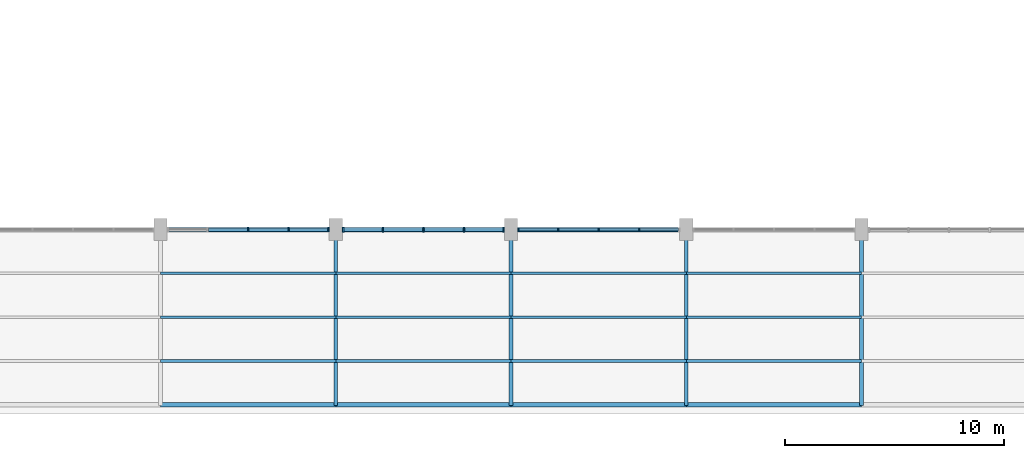
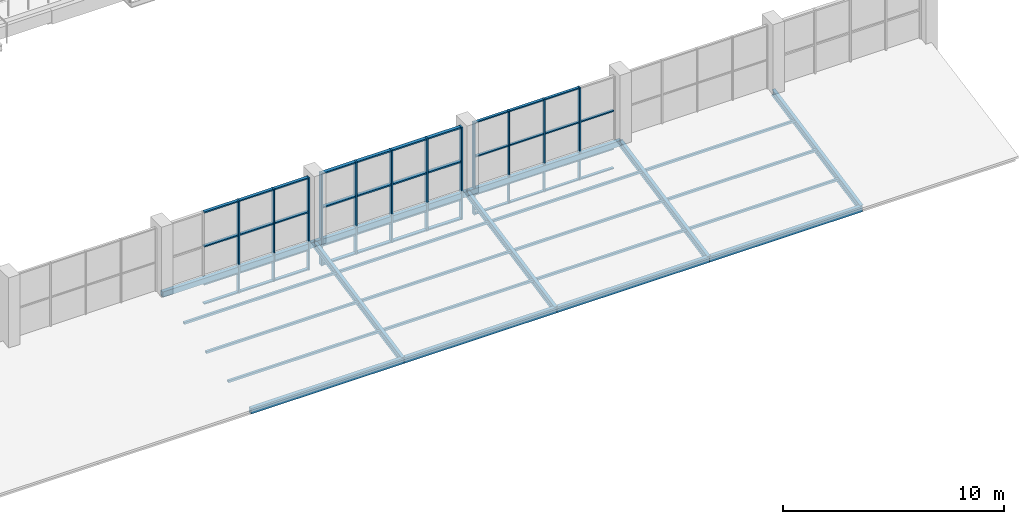
# One storey, part 50 of 122: 67 members, 11 beams, 3 elements without a shape of their own.
"""IFC4 building model written with IfcOpenShell, lengths in metres."""

from ifc_helpers import new_model, si_unit, direction, frame, origin, origin_2d, place, context, subcontext, project, spatial, rectangle, hollow_rectangle, i_section, extrude, material, material_profile, profile_set, type_object, element, aggregate, save


model = new_model("IFC4")

# Units and contexts
model_context = context("Model", 3, precision=1e-05, world=origin(), true_north=direction((0.0, 1.0)))
body_context = subcontext(model_context, "Body", "Model", "MODEL_VIEW")
ifc_project = project(units=[si_unit("LENGTHUNIT", "METRE"), si_unit("AREAUNIT", "SQUARE_METRE"), si_unit("VOLUMEUNIT", "CUBIC_METRE"), si_unit("PLANEANGLEUNIT", "RADIAN"), si_unit("MASSUNIT", "GRAM", prefix="KILO")], contexts=[model_context])

# Site, building, storey
site_placement = place(None, origin())
site = spatial("IfcSite", under=ifc_project, at=site_placement, CompositionType="ELEMENT")
building_placement = place(site_placement, origin())
building = spatial("IfcBuilding", under=site, at=building_placement, Name="Tenunan Teduh Sports Hall", CompositionType="ELEMENT")
storey_placement = place(building_placement, frame((0.0, 0.0, 5.39990234375)))
storey = spatial("IfcBuildingStorey", under=building, at=storey_placement, Name="L01", CompositionType="ELEMENT", Elevation=5.39990234375)

# Curtain wall, members
ifc_material_1 = material(Name="Anodised aluminium", Category="aluminium")
curtain_wall_type = type_object("IfcCurtainWallType", Name="CW-UNIT-1", PredefinedType="NOTDEFINED", material=ifc_material_1)
curtain_wall_1_placement = place(storey_placement, origin())
curtain_wall_1 = element("IfcCurtainWall", 1, at=curtain_wall_1_placement, inside=storey, type_object=curtain_wall_type, Name="CW-CWM-175-L01-010", PredefinedType="NOTDEFINED")
ifc_material_2 = material(Name="Anodised aluminium", Category="aluminium")
ifc_material_profile_1 = material_profile(ifc_material_2, rectangle(XDim=0.06494140625, YDim=0.175048828125, at=origin_2d()), Name="CWM 65x175")
ifc_profile_set_1 = profile_set([ifc_material_profile_1], Name="Anodised aluminium")
member_type_1 = type_object("IfcMemberType", Name="CWM-175", PredefinedType="MULLION", material=ifc_profile_set_1)
member_1_placement = place(storey_placement, frame((146.33251953125, 14.0, 0.0), z_axis=(0.0, 0.0, 1.0), x_axis=(1.0, 0.0, 0.0)))
member_1 = element("IfcMember", 2, at=member_1_placement, type_object=member_type_1, Name="CW-01 mullion 1", PredefinedType="MULLION", context=body_context, shape_type="SweptSolid", body=[
    extrude(rectangle(XDim=0.06494140625, YDim=0.175048828125, at=origin_2d()), origin(), (0.0, 0.0, 1.0), 5.1201171875),
])
member_2_placement = place(storey_placement, frame((148.14990234375, 14.0, 0.0), z_axis=(0.0, 0.0, 1.0), x_axis=(1.0, 0.0, 0.0)))
member_2 = element("IfcMember", 3, at=member_2_placement, type_object=member_type_1, Name="CW-01 mullion 2", PredefinedType="MULLION", context=body_context, shape_type="SweptSolid", body=[
    extrude(rectangle(XDim=0.06494140625, YDim=0.175048828125, at=origin_2d()), origin(), (0.0, 0.0, 1.0), 5.1201171875),
])
member_3_placement = place(storey_placement, frame((150.0, 14.0, 0.0), z_axis=(0.0, 0.0, 1.0), x_axis=(1.0, 0.0, 0.0)))
member_3 = element("IfcMember", 4, at=member_3_placement, type_object=member_type_1, Name="CW-01 mullion 3", PredefinedType="MULLION", context=body_context, shape_type="SweptSolid", body=[
    extrude(rectangle(XDim=0.06494140625, YDim=0.175048828125, at=origin_2d()), origin(), (0.0, 0.0, 1.0), 5.1201171875),
])
member_4_placement = place(storey_placement, frame((151.85009765625, 14.0, 0.0), z_axis=(0.0, 0.0, 1.0), x_axis=(1.0, 0.0, 0.0)))
member_4 = element("IfcMember", 5, at=member_4_placement, type_object=member_type_1, Name="CW-01 mullion 4", PredefinedType="MULLION", context=body_context, shape_type="SweptSolid", body=[
    extrude(rectangle(XDim=0.06494140625, YDim=0.175048828125, at=origin_2d()), origin(), (0.0, 0.0, 1.0), 5.1201171875),
])

curtain_wall_2_placement = place(storey_placement, origin())
curtain_wall_2 = element("IfcCurtainWall", 6, at=curtain_wall_2_placement, inside=storey, type_object=curtain_wall_type, Name="CW-CWM-200-L01-008", PredefinedType="NOTDEFINED")
ifc_material_3 = material(Name="Anodised aluminium", Category="aluminium")
ifc_material_profile_2 = material_profile(ifc_material_3, rectangle(XDim=0.070068359375, YDim=0.199951171875, at=origin_2d()), Name="CWM 70x200")
ifc_profile_set_2 = profile_set([ifc_material_profile_2], Name="Anodised aluminium")
member_type_2 = type_object("IfcMemberType", Name="CWM-200", PredefinedType="MULLION", material=ifc_profile_set_2)
member_5_placement = place(storey_placement, frame((134.0, 14.0, 0.0), z_axis=(0.0, 0.0, 1.0), x_axis=(1.0, 0.0, 0.0)))
member_5 = element("IfcMember", 7, at=member_5_placement, type_object=member_type_2, Name="CW-01 mullion 3", PredefinedType="MULLION", context=body_context, shape_type="SweptSolid", body=[
    extrude(rectangle(XDim=0.070068359375, YDim=0.199951171875, at=origin_2d()), origin(), (0.0, 0.0, 1.0), 5.1201171875),
])
member_6_placement = place(storey_placement, frame((135.85009765625, 14.0, 0.0), z_axis=(0.0, 0.0, 1.0), x_axis=(1.0, 0.0, 0.0)))
member_6 = element("IfcMember", 8, at=member_6_placement, type_object=member_type_2, Name="CW-01 mullion 4", PredefinedType="MULLION", context=body_context, shape_type="SweptSolid", body=[
    extrude(rectangle(XDim=0.070068359375, YDim=0.199951171875, at=origin_2d()), origin(), (0.0, 0.0, 1.0), 5.1201171875),
])
member_7_placement = place(storey_placement, frame((137.6650390625, 14.0, 0.0), z_axis=(0.0, 0.0, 1.0), x_axis=(1.0, 0.0, 0.0)))
member_7 = element("IfcMember", 9, at=member_7_placement, type_object=member_type_2, Name="CW-01 mullion 5", PredefinedType="MULLION", context=body_context, shape_type="SweptSolid", body=[
    extrude(rectangle(XDim=0.070068359375, YDim=0.199951171875, at=origin_2d()), origin(), (0.0, 0.0, 1.0), 5.1201171875),
])

curtain_wall_3_placement = place(storey_placement, origin())
curtain_wall_3 = element("IfcCurtainWall", 10, at=curtain_wall_3_placement, inside=storey, type_object=curtain_wall_type, Name="CW-CWM-220-L01-009", PredefinedType="NOTDEFINED")
ifc_material_4 = material(Name="Anodised aluminium", Category="aluminium")
ifc_material_profile_3 = material_profile(ifc_material_4, rectangle(XDim=0.074951171875, YDim=0.219970703125, at=origin_2d()), Name="CWM 75x220")
ifc_profile_set_3 = profile_set([ifc_material_profile_3], Name="Anodised aluminium")
member_type_3 = type_object("IfcMemberType", Name="CWM-220", PredefinedType="MULLION", material=ifc_profile_set_3)
member_8_placement = place(storey_placement, frame((138.33740234375, 14.0, 0.0), z_axis=(0.0, 0.0, 1.0), x_axis=(1.0, 0.0, 0.0)))
member_8 = element("IfcMember", 11, at=member_8_placement, type_object=member_type_3, Name="CW-01 mullion 1", PredefinedType="MULLION", context=body_context, shape_type="SweptSolid", body=[
    extrude(rectangle(XDim=0.074951171875, YDim=0.219970703125, at=origin_2d()), origin(), (0.0, 0.0, 1.0), 5.1201171875),
])
member_9_placement = place(storey_placement, frame((140.14990234375, 14.0, 0.0), z_axis=(0.0, 0.0, 1.0), x_axis=(1.0, 0.0, 0.0)))
member_9 = element("IfcMember", 12, at=member_9_placement, type_object=member_type_3, Name="CW-01 mullion 2", PredefinedType="MULLION", context=body_context, shape_type="SweptSolid", body=[
    extrude(rectangle(XDim=0.074951171875, YDim=0.219970703125, at=origin_2d()), origin(), (0.0, 0.0, 1.0), 5.1201171875),
])
member_10_placement = place(storey_placement, frame((142.0, 14.0, 0.0), z_axis=(0.0, 0.0, 1.0), x_axis=(1.0, 0.0, 0.0)))
member_10 = element("IfcMember", 13, at=member_10_placement, type_object=member_type_3, Name="CW-01 mullion 3", PredefinedType="MULLION", context=body_context, shape_type="SweptSolid", body=[
    extrude(rectangle(XDim=0.074951171875, YDim=0.219970703125, at=origin_2d()), origin(), (0.0, 0.0, 1.0), 5.1201171875),
])
member_11_placement = place(storey_placement, frame((143.85009765625, 14.0, 0.0), z_axis=(0.0, 0.0, 1.0), x_axis=(1.0, 0.0, 0.0)))
member_11 = element("IfcMember", 14, at=member_11_placement, type_object=member_type_3, Name="CW-01 mullion 4", PredefinedType="MULLION", context=body_context, shape_type="SweptSolid", body=[
    extrude(rectangle(XDim=0.074951171875, YDim=0.219970703125, at=origin_2d()), origin(), (0.0, 0.0, 1.0), 5.1201171875),
])
member_12_placement = place(storey_placement, frame((145.66259765625, 14.0, 0.0), z_axis=(0.0, 0.0, 1.0), x_axis=(1.0, 0.0, 0.0)))
member_12 = element("IfcMember", 15, at=member_12_placement, type_object=member_type_3, Name="CW-01 mullion 5", PredefinedType="MULLION", context=body_context, shape_type="SweptSolid", body=[
    extrude(rectangle(XDim=0.074951171875, YDim=0.219970703125, at=origin_2d()), origin(), (0.0, 0.0, 1.0), 5.1201171875),
])

# Member
ifc_material_5 = material(Name="Anodised aluminium", Category="aluminium")
ifc_material_profile_4 = material_profile(ifc_material_5, rectangle(XDim=0.06494140625, YDim=0.139892578125, at=origin_2d()), Name="CWT 65x140")
ifc_profile_set_4 = profile_set([ifc_material_profile_4], Name="Anodised aluminium")
member_type_4 = type_object("IfcMemberType", Name="CWT-150", PredefinedType="USERDEFINED", material=ifc_profile_set_4)
member_13_placement = place(storey_placement, frame((146.364990234375, 14.0, 0.03271484375), z_axis=(1.0, 0.0, 0.0), x_axis=(0.0, 0.0, 1.0)))
member_13 = element("IfcMember", 16, at=member_13_placement, type_object=member_type_4, Name="CW-01 transom 1.1", ObjectType="TRANSOM", PredefinedType="USERDEFINED", context=body_context, shape_type="SweptSolid", body=[
    extrude(rectangle(XDim=0.06494140625, YDim=0.139892578125, at=origin_2d()), origin(), (0.0, 0.0, 1.0), 1.75244140625),
])

member_14_placement = place(storey_placement, frame((146.364990234375, 14.0, 1.10009765625), z_axis=(1.0, 0.0, 0.0), x_axis=(0.0, 0.0, 1.0)))
member_14 = element("IfcMember", 17, at=member_14_placement, type_object=member_type_4, Name="CW-01 transom 1.2", ObjectType="TRANSOM", PredefinedType="USERDEFINED", context=body_context, shape_type="SweptSolid", body=[
    extrude(rectangle(XDim=0.06494140625, YDim=0.139892578125, at=origin_2d()), origin(), (0.0, 0.0, 1.0), 1.75244140625),
])

member_15_placement = place(storey_placement, frame((146.364990234375, 14.0, 3.2001953125), z_axis=(1.0, 0.0, 0.0), x_axis=(0.0, 0.0, 1.0)))
member_15 = element("IfcMember", 18, at=member_15_placement, type_object=member_type_4, Name="CW-01 transom 1.3", ObjectType="TRANSOM", PredefinedType="USERDEFINED", context=body_context, shape_type="SweptSolid", body=[
    extrude(rectangle(XDim=0.06494140625, YDim=0.139892578125, at=origin_2d()), origin(), (0.0, 0.0, 1.0), 1.75244140625),
])

member_16_placement = place(storey_placement, frame((146.364990234375, 14.0, 5.087646484375), z_axis=(1.0, 0.0, 0.0), x_axis=(0.0, 0.0, 1.0)))
member_16 = element("IfcMember", 19, at=member_16_placement, type_object=member_type_4, Name="CW-01 transom 1.4", ObjectType="TRANSOM", PredefinedType="USERDEFINED", context=body_context, shape_type="SweptSolid", body=[
    extrude(rectangle(XDim=0.06494140625, YDim=0.139892578125, at=origin_2d()), origin(), (0.0, 0.0, 1.0), 1.75244140625),
])

member_17_placement = place(storey_placement, frame((148.1826171875, 14.0, 0.03271484375), z_axis=(1.0, 0.0, 0.0), x_axis=(0.0, 0.0, 1.0)))
member_17 = element("IfcMember", 20, at=member_17_placement, type_object=member_type_4, Name="CW-01 transom 2.1", ObjectType="TRANSOM", PredefinedType="USERDEFINED", context=body_context, shape_type="SweptSolid", body=[
    extrude(rectangle(XDim=0.06494140625, YDim=0.139892578125, at=origin_2d()), origin(), (0.0, 0.0, 1.0), 1.784912109375),
])

member_18_placement = place(storey_placement, frame((148.1826171875, 14.0, 1.10009765625), z_axis=(1.0, 0.0, 0.0), x_axis=(0.0, 0.0, 1.0)))
member_18 = element("IfcMember", 21, at=member_18_placement, type_object=member_type_4, Name="CW-01 transom 2.2", ObjectType="TRANSOM", PredefinedType="USERDEFINED", context=body_context, shape_type="SweptSolid", body=[
    extrude(rectangle(XDim=0.06494140625, YDim=0.139892578125, at=origin_2d()), origin(), (0.0, 0.0, 1.0), 1.784912109375),
])

member_19_placement = place(storey_placement, frame((148.1826171875, 14.0, 3.2001953125), z_axis=(1.0, 0.0, 0.0), x_axis=(0.0, 0.0, 1.0)))
member_19 = element("IfcMember", 22, at=member_19_placement, type_object=member_type_4, Name="CW-01 transom 2.3", ObjectType="TRANSOM", PredefinedType="USERDEFINED", context=body_context, shape_type="SweptSolid", body=[
    extrude(rectangle(XDim=0.06494140625, YDim=0.139892578125, at=origin_2d()), origin(), (0.0, 0.0, 1.0), 1.784912109375),
])

member_20_placement = place(storey_placement, frame((148.1826171875, 14.0, 5.087646484375), z_axis=(1.0, 0.0, 0.0), x_axis=(0.0, 0.0, 1.0)))
member_20 = element("IfcMember", 23, at=member_20_placement, type_object=member_type_4, Name="CW-01 transom 2.4", ObjectType="TRANSOM", PredefinedType="USERDEFINED", context=body_context, shape_type="SweptSolid", body=[
    extrude(rectangle(XDim=0.06494140625, YDim=0.139892578125, at=origin_2d()), origin(), (0.0, 0.0, 1.0), 1.784912109375),
])

member_21_placement = place(storey_placement, frame((150.032470703125, 14.0, 0.03271484375), z_axis=(1.0, 0.0, 0.0), x_axis=(0.0, 0.0, 1.0)))
member_21 = element("IfcMember", 24, at=member_21_placement, type_object=member_type_4, Name="CW-01 transom 3.1", ObjectType="TRANSOM", PredefinedType="USERDEFINED", context=body_context, shape_type="SweptSolid", body=[
    extrude(rectangle(XDim=0.06494140625, YDim=0.139892578125, at=origin_2d()), origin(), (0.0, 0.0, 1.0), 1.784912109375),
])

member_22_placement = place(storey_placement, frame((150.032470703125, 14.0, 1.10009765625), z_axis=(1.0, 0.0, 0.0), x_axis=(0.0, 0.0, 1.0)))
member_22 = element("IfcMember", 25, at=member_22_placement, type_object=member_type_4, Name="CW-01 transom 3.2", ObjectType="TRANSOM", PredefinedType="USERDEFINED", context=body_context, shape_type="SweptSolid", body=[
    extrude(rectangle(XDim=0.06494140625, YDim=0.139892578125, at=origin_2d()), origin(), (0.0, 0.0, 1.0), 1.784912109375),
])

member_23_placement = place(storey_placement, frame((150.032470703125, 14.0, 3.2001953125), z_axis=(1.0, 0.0, 0.0), x_axis=(0.0, 0.0, 1.0)))
member_23 = element("IfcMember", 26, at=member_23_placement, type_object=member_type_4, Name="CW-01 transom 3.3", ObjectType="TRANSOM", PredefinedType="USERDEFINED", context=body_context, shape_type="SweptSolid", body=[
    extrude(rectangle(XDim=0.06494140625, YDim=0.139892578125, at=origin_2d()), origin(), (0.0, 0.0, 1.0), 1.784912109375),
])

member_24_placement = place(storey_placement, frame((150.032470703125, 14.0, 5.087646484375), z_axis=(1.0, 0.0, 0.0), x_axis=(0.0, 0.0, 1.0)))
member_24 = element("IfcMember", 27, at=member_24_placement, type_object=member_type_4, Name="CW-01 transom 3.4", ObjectType="TRANSOM", PredefinedType="USERDEFINED", context=body_context, shape_type="SweptSolid", body=[
    extrude(rectangle(XDim=0.06494140625, YDim=0.139892578125, at=origin_2d()), origin(), (0.0, 0.0, 1.0), 1.784912109375),
])

member_25_placement = place(storey_placement, frame((151.882568359375, 14.0, 0.03271484375), z_axis=(1.0, 0.0, 0.0), x_axis=(0.0, 0.0, 1.0)))
member_25 = element("IfcMember", 28, at=member_25_placement, type_object=member_type_4, Name="CW-01 transom 4.1", ObjectType="TRANSOM", PredefinedType="USERDEFINED", context=body_context, shape_type="SweptSolid", body=[
    extrude(rectangle(XDim=0.06494140625, YDim=0.139892578125, at=origin_2d()), origin(), (0.0, 0.0, 1.0), 1.75244140625),
])

member_26_placement = place(storey_placement, frame((151.882568359375, 14.0, 1.10009765625), z_axis=(1.0, 0.0, 0.0), x_axis=(0.0, 0.0, 1.0)))
member_26 = element("IfcMember", 29, at=member_26_placement, type_object=member_type_4, Name="CW-01 transom 4.2", ObjectType="TRANSOM", PredefinedType="USERDEFINED", context=body_context, shape_type="SweptSolid", body=[
    extrude(rectangle(XDim=0.06494140625, YDim=0.139892578125, at=origin_2d()), origin(), (0.0, 0.0, 1.0), 1.75244140625),
])

member_27_placement = place(storey_placement, frame((151.882568359375, 14.0, 3.2001953125), z_axis=(1.0, 0.0, 0.0), x_axis=(0.0, 0.0, 1.0)))
member_27 = element("IfcMember", 30, at=member_27_placement, type_object=member_type_4, Name="CW-01 transom 4.3", ObjectType="TRANSOM", PredefinedType="USERDEFINED", context=body_context, shape_type="SweptSolid", body=[
    extrude(rectangle(XDim=0.06494140625, YDim=0.139892578125, at=origin_2d()), origin(), (0.0, 0.0, 1.0), 1.75244140625),
])

aggregate(curtain_wall_1, [member_1, member_2, member_3, member_4, member_13, member_14, member_15, member_16, member_17, member_18, member_19, member_20, member_21, member_22, member_23, member_24, member_25, member_26, member_27])

ifc_material_6 = material(Name="Anodised aluminium", Category="aluminium")
ifc_material_profile_5 = material_profile(ifc_material_6, rectangle(XDim=0.074951171875, YDim=0.179931640625, at=origin_2d()), Name="CWT 75x180")
ifc_profile_set_5 = profile_set([ifc_material_profile_5], Name="Anodised aluminium")
member_type_5 = type_object("IfcMemberType", Name="CWT-180", PredefinedType="USERDEFINED", material=ifc_profile_set_5)
member_28_placement = place(storey_placement, frame((138.375, 14.0, 0.03759765625), z_axis=(1.0, 0.0, 0.0), x_axis=(0.0, 0.0, 1.0)))
member_28 = element("IfcMember", 31, at=member_28_placement, type_object=member_type_5, Name="CW-01 transom 1.1", ObjectType="TRANSOM", PredefinedType="USERDEFINED", context=body_context, shape_type="SweptSolid", body=[
    extrude(rectangle(XDim=0.074951171875, YDim=0.179931640625, at=origin_2d()), origin(), (0.0, 0.0, 1.0), 1.737548828125),
])

member_29_placement = place(storey_placement, frame((138.375, 14.0, 1.10009765625), z_axis=(1.0, 0.0, 0.0), x_axis=(0.0, 0.0, 1.0)))
member_29 = element("IfcMember", 32, at=member_29_placement, type_object=member_type_5, Name="CW-01 transom 1.2", ObjectType="TRANSOM", PredefinedType="USERDEFINED", context=body_context, shape_type="SweptSolid", body=[
    extrude(rectangle(XDim=0.074951171875, YDim=0.179931640625, at=origin_2d()), origin(), (0.0, 0.0, 1.0), 1.737548828125),
])

member_30_placement = place(storey_placement, frame((138.375, 14.0, 3.2001953125), z_axis=(1.0, 0.0, 0.0), x_axis=(0.0, 0.0, 1.0)))
member_30 = element("IfcMember", 33, at=member_30_placement, type_object=member_type_5, Name="CW-01 transom 1.3", ObjectType="TRANSOM", PredefinedType="USERDEFINED", context=body_context, shape_type="SweptSolid", body=[
    extrude(rectangle(XDim=0.074951171875, YDim=0.179931640625, at=origin_2d()), origin(), (0.0, 0.0, 1.0), 1.737548828125),
])

member_31_placement = place(storey_placement, frame((138.375, 14.0, 5.08251953125), z_axis=(1.0, 0.0, 0.0), x_axis=(0.0, 0.0, 1.0)))
member_31 = element("IfcMember", 34, at=member_31_placement, type_object=member_type_5, Name="CW-01 transom 1.4", ObjectType="TRANSOM", PredefinedType="USERDEFINED", context=body_context, shape_type="SweptSolid", body=[
    extrude(rectangle(XDim=0.074951171875, YDim=0.179931640625, at=origin_2d()), origin(), (0.0, 0.0, 1.0), 1.737548828125),
])

member_32_placement = place(storey_placement, frame((140.1875, 14.0, 0.03759765625), z_axis=(1.0, 0.0, 0.0), x_axis=(0.0, 0.0, 1.0)))
member_32 = element("IfcMember", 35, at=member_32_placement, type_object=member_type_5, Name="CW-01 transom 2.1", ObjectType="TRANSOM", PredefinedType="USERDEFINED", context=body_context, shape_type="SweptSolid", body=[
    extrude(rectangle(XDim=0.074951171875, YDim=0.179931640625, at=origin_2d()), origin(), (0.0, 0.0, 1.0), 1.77490234375),
])

member_33_placement = place(storey_placement, frame((140.1875, 14.0, 1.10009765625), z_axis=(1.0, 0.0, 0.0), x_axis=(0.0, 0.0, 1.0)))
member_33 = element("IfcMember", 36, at=member_33_placement, type_object=member_type_5, Name="CW-01 transom 2.2", ObjectType="TRANSOM", PredefinedType="USERDEFINED", context=body_context, shape_type="SweptSolid", body=[
    extrude(rectangle(XDim=0.074951171875, YDim=0.179931640625, at=origin_2d()), origin(), (0.0, 0.0, 1.0), 1.77490234375),
])

member_34_placement = place(storey_placement, frame((140.1875, 14.0, 3.2001953125), z_axis=(1.0, 0.0, 0.0), x_axis=(0.0, 0.0, 1.0)))
member_34 = element("IfcMember", 37, at=member_34_placement, type_object=member_type_5, Name="CW-01 transom 2.3", ObjectType="TRANSOM", PredefinedType="USERDEFINED", context=body_context, shape_type="SweptSolid", body=[
    extrude(rectangle(XDim=0.074951171875, YDim=0.179931640625, at=origin_2d()), origin(), (0.0, 0.0, 1.0), 1.77490234375),
])

member_35_placement = place(storey_placement, frame((140.1875, 14.0, 5.08251953125), z_axis=(1.0, 0.0, 0.0), x_axis=(0.0, 0.0, 1.0)))
member_35 = element("IfcMember", 38, at=member_35_placement, type_object=member_type_5, Name="CW-01 transom 2.4", ObjectType="TRANSOM", PredefinedType="USERDEFINED", context=body_context, shape_type="SweptSolid", body=[
    extrude(rectangle(XDim=0.074951171875, YDim=0.179931640625, at=origin_2d()), origin(), (0.0, 0.0, 1.0), 1.77490234375),
])

member_36_placement = place(storey_placement, frame((142.03759765625, 14.0, 0.03759765625), z_axis=(1.0, 0.0, 0.0), x_axis=(0.0, 0.0, 1.0)))
member_36 = element("IfcMember", 39, at=member_36_placement, type_object=member_type_5, Name="CW-01 transom 3.1", ObjectType="TRANSOM", PredefinedType="USERDEFINED", context=body_context, shape_type="SweptSolid", body=[
    extrude(rectangle(XDim=0.074951171875, YDim=0.179931640625, at=origin_2d()), origin(), (0.0, 0.0, 1.0), 1.77490234375),
])

member_37_placement = place(storey_placement, frame((142.03759765625, 14.0, 1.10009765625), z_axis=(1.0, 0.0, 0.0), x_axis=(0.0, 0.0, 1.0)))
member_37 = element("IfcMember", 40, at=member_37_placement, type_object=member_type_5, Name="CW-01 transom 3.2", ObjectType="TRANSOM", PredefinedType="USERDEFINED", context=body_context, shape_type="SweptSolid", body=[
    extrude(rectangle(XDim=0.074951171875, YDim=0.179931640625, at=origin_2d()), origin(), (0.0, 0.0, 1.0), 1.77490234375),
])

member_38_placement = place(storey_placement, frame((142.03759765625, 14.0, 3.2001953125), z_axis=(1.0, 0.0, 0.0), x_axis=(0.0, 0.0, 1.0)))
member_38 = element("IfcMember", 41, at=member_38_placement, type_object=member_type_5, Name="CW-01 transom 3.3", ObjectType="TRANSOM", PredefinedType="USERDEFINED", context=body_context, shape_type="SweptSolid", body=[
    extrude(rectangle(XDim=0.074951171875, YDim=0.179931640625, at=origin_2d()), origin(), (0.0, 0.0, 1.0), 1.77490234375),
])

member_39_placement = place(storey_placement, frame((142.03759765625, 14.0, 5.08251953125), z_axis=(1.0, 0.0, 0.0), x_axis=(0.0, 0.0, 1.0)))
member_39 = element("IfcMember", 42, at=member_39_placement, type_object=member_type_5, Name="CW-01 transom 3.4", ObjectType="TRANSOM", PredefinedType="USERDEFINED", context=body_context, shape_type="SweptSolid", body=[
    extrude(rectangle(XDim=0.074951171875, YDim=0.179931640625, at=origin_2d()), origin(), (0.0, 0.0, 1.0), 1.77490234375),
])

member_40_placement = place(storey_placement, frame((143.887451171875, 14.0, 0.03759765625), z_axis=(1.0, 0.0, 0.0), x_axis=(0.0, 0.0, 1.0)))
member_40 = element("IfcMember", 43, at=member_40_placement, type_object=member_type_5, Name="CW-01 transom 4.1", ObjectType="TRANSOM", PredefinedType="USERDEFINED", context=body_context, shape_type="SweptSolid", body=[
    extrude(rectangle(XDim=0.074951171875, YDim=0.179931640625, at=origin_2d()), origin(), (0.0, 0.0, 1.0), 1.737548828125),
])

member_41_placement = place(storey_placement, frame((143.887451171875, 14.0, 1.10009765625), z_axis=(1.0, 0.0, 0.0), x_axis=(0.0, 0.0, 1.0)))
member_41 = element("IfcMember", 44, at=member_41_placement, type_object=member_type_5, Name="CW-01 transom 4.2", ObjectType="TRANSOM", PredefinedType="USERDEFINED", context=body_context, shape_type="SweptSolid", body=[
    extrude(rectangle(XDim=0.074951171875, YDim=0.179931640625, at=origin_2d()), origin(), (0.0, 0.0, 1.0), 1.737548828125),
])

member_42_placement = place(storey_placement, frame((143.887451171875, 14.0, 3.2001953125), z_axis=(1.0, 0.0, 0.0), x_axis=(0.0, 0.0, 1.0)))
member_42 = element("IfcMember", 45, at=member_42_placement, type_object=member_type_5, Name="CW-01 transom 4.3", ObjectType="TRANSOM", PredefinedType="USERDEFINED", context=body_context, shape_type="SweptSolid", body=[
    extrude(rectangle(XDim=0.074951171875, YDim=0.179931640625, at=origin_2d()), origin(), (0.0, 0.0, 1.0), 1.737548828125),
])

member_43_placement = place(storey_placement, frame((143.887451171875, 14.0, 5.08251953125), z_axis=(1.0, 0.0, 0.0), x_axis=(0.0, 0.0, 1.0)))
member_43 = element("IfcMember", 46, at=member_43_placement, type_object=member_type_5, Name="CW-01 transom 4.4", ObjectType="TRANSOM", PredefinedType="USERDEFINED", context=body_context, shape_type="SweptSolid", body=[
    extrude(rectangle(XDim=0.074951171875, YDim=0.179931640625, at=origin_2d()), origin(), (0.0, 0.0, 1.0), 1.737548828125),
])

aggregate(curtain_wall_3, [member_8, member_9, member_10, member_11, member_12, member_28, member_29, member_30, member_31, member_32, member_33, member_34, member_35, member_36, member_37, member_38, member_39, member_40, member_41, member_42, member_43])

ifc_material_7 = material(Name="Anodised aluminium", Category="aluminium")
ifc_material_profile_6 = material_profile(ifc_material_7, rectangle(XDim=0.070068359375, YDim=0.159912109375, at=origin_2d()), Name="CWT 70x160")
ifc_profile_set_6 = profile_set([ifc_material_profile_6], Name="Anodised aluminium")
member_type_6 = type_object("IfcMemberType", Name="CWT-200", PredefinedType="USERDEFINED", material=ifc_profile_set_6)
member_44_placement = place(storey_placement, frame((132.18505859375, 14.0, 0.03515625), z_axis=(1.0, 0.0, 0.0), x_axis=(0.0, 0.0, 1.0)))
member_44 = element("IfcMember", 47, at=member_44_placement, type_object=member_type_6, Name="CW-01 transom 2.1", ObjectType="TRANSOM", PredefinedType="USERDEFINED", context=body_context, shape_type="SweptSolid", body=[
    extrude(rectangle(XDim=0.070068359375, YDim=0.159912109375, at=origin_2d()), origin(), (0.0, 0.0, 1.0), 1.780029296875),
])

member_45_placement = place(storey_placement, frame((132.18505859375, 14.0, 1.10009765625), z_axis=(1.0, 0.0, 0.0), x_axis=(0.0, 0.0, 1.0)))
member_45 = element("IfcMember", 48, at=member_45_placement, type_object=member_type_6, Name="CW-01 transom 2.2", ObjectType="TRANSOM", PredefinedType="USERDEFINED", context=body_context, shape_type="SweptSolid", body=[
    extrude(rectangle(XDim=0.070068359375, YDim=0.159912109375, at=origin_2d()), origin(), (0.0, 0.0, 1.0), 1.780029296875),
])

member_46_placement = place(storey_placement, frame((132.18505859375, 14.0, 3.2001953125), z_axis=(1.0, 0.0, 0.0), x_axis=(0.0, 0.0, 1.0)))
member_46 = element("IfcMember", 49, at=member_46_placement, type_object=member_type_6, Name="CW-01 transom 2.3", ObjectType="TRANSOM", PredefinedType="USERDEFINED", context=body_context, shape_type="SweptSolid", body=[
    extrude(rectangle(XDim=0.070068359375, YDim=0.159912109375, at=origin_2d()), origin(), (0.0, 0.0, 1.0), 1.780029296875),
])

member_47_placement = place(storey_placement, frame((132.18505859375, 14.0, 5.085205078125), z_axis=(1.0, 0.0, 0.0), x_axis=(0.0, 0.0, 1.0)))
member_47 = element("IfcMember", 50, at=member_47_placement, type_object=member_type_6, Name="CW-01 transom 2.4", ObjectType="TRANSOM", PredefinedType="USERDEFINED", context=body_context, shape_type="SweptSolid", body=[
    extrude(rectangle(XDim=0.070068359375, YDim=0.159912109375, at=origin_2d()), origin(), (0.0, 0.0, 1.0), 1.780029296875),
])

member_48_placement = place(storey_placement, frame((134.034912109375, 14.0, 0.03515625), z_axis=(1.0, 0.0, 0.0), x_axis=(0.0, 0.0, 1.0)))
member_48 = element("IfcMember", 51, at=member_48_placement, type_object=member_type_6, Name="CW-01 transom 3.1", ObjectType="TRANSOM", PredefinedType="USERDEFINED", context=body_context, shape_type="SweptSolid", body=[
    extrude(rectangle(XDim=0.070068359375, YDim=0.159912109375, at=origin_2d()), origin(), (0.0, 0.0, 1.0), 1.780029296875),
])

member_49_placement = place(storey_placement, frame((134.034912109375, 14.0, 1.10009765625), z_axis=(1.0, 0.0, 0.0), x_axis=(0.0, 0.0, 1.0)))
member_49 = element("IfcMember", 52, at=member_49_placement, type_object=member_type_6, Name="CW-01 transom 3.2", ObjectType="TRANSOM", PredefinedType="USERDEFINED", context=body_context, shape_type="SweptSolid", body=[
    extrude(rectangle(XDim=0.070068359375, YDim=0.159912109375, at=origin_2d()), origin(), (0.0, 0.0, 1.0), 1.780029296875),
])

member_50_placement = place(storey_placement, frame((134.034912109375, 14.0, 3.2001953125), z_axis=(1.0, 0.0, 0.0), x_axis=(0.0, 0.0, 1.0)))
member_50 = element("IfcMember", 53, at=member_50_placement, type_object=member_type_6, Name="CW-01 transom 3.3", ObjectType="TRANSOM", PredefinedType="USERDEFINED", context=body_context, shape_type="SweptSolid", body=[
    extrude(rectangle(XDim=0.070068359375, YDim=0.159912109375, at=origin_2d()), origin(), (0.0, 0.0, 1.0), 1.780029296875),
])

member_51_placement = place(storey_placement, frame((134.034912109375, 14.0, 5.085205078125), z_axis=(1.0, 0.0, 0.0), x_axis=(0.0, 0.0, 1.0)))
member_51 = element("IfcMember", 54, at=member_51_placement, type_object=member_type_6, Name="CW-01 transom 3.4", ObjectType="TRANSOM", PredefinedType="USERDEFINED", context=body_context, shape_type="SweptSolid", body=[
    extrude(rectangle(XDim=0.070068359375, YDim=0.159912109375, at=origin_2d()), origin(), (0.0, 0.0, 1.0), 1.780029296875),
])

member_52_placement = place(storey_placement, frame((135.885009765625, 14.0, 0.03515625), z_axis=(1.0, 0.0, 0.0), x_axis=(0.0, 0.0, 1.0)))
member_52 = element("IfcMember", 55, at=member_52_placement, type_object=member_type_6, Name="CW-01 transom 4.1", ObjectType="TRANSOM", PredefinedType="USERDEFINED", context=body_context, shape_type="SweptSolid", body=[
    extrude(rectangle(XDim=0.070068359375, YDim=0.159912109375, at=origin_2d()), origin(), (0.0, 0.0, 1.0), 1.744873046875),
])

member_53_placement = place(storey_placement, frame((135.885009765625, 14.0, 1.10009765625), z_axis=(1.0, 0.0, 0.0), x_axis=(0.0, 0.0, 1.0)))
member_53 = element("IfcMember", 56, at=member_53_placement, type_object=member_type_6, Name="CW-01 transom 4.2", ObjectType="TRANSOM", PredefinedType="USERDEFINED", context=body_context, shape_type="SweptSolid", body=[
    extrude(rectangle(XDim=0.070068359375, YDim=0.159912109375, at=origin_2d()), origin(), (0.0, 0.0, 1.0), 1.744873046875),
])

member_54_placement = place(storey_placement, frame((135.885009765625, 14.0, 3.2001953125), z_axis=(1.0, 0.0, 0.0), x_axis=(0.0, 0.0, 1.0)))
member_54 = element("IfcMember", 57, at=member_54_placement, type_object=member_type_6, Name="CW-01 transom 4.3", ObjectType="TRANSOM", PredefinedType="USERDEFINED", context=body_context, shape_type="SweptSolid", body=[
    extrude(rectangle(XDim=0.070068359375, YDim=0.159912109375, at=origin_2d()), origin(), (0.0, 0.0, 1.0), 1.744873046875),
])

member_55_placement = place(storey_placement, frame((135.885009765625, 14.0, 5.085205078125), z_axis=(1.0, 0.0, 0.0), x_axis=(0.0, 0.0, 1.0)))
member_55 = element("IfcMember", 58, at=member_55_placement, type_object=member_type_6, Name="CW-01 transom 4.4", ObjectType="TRANSOM", PredefinedType="USERDEFINED", context=body_context, shape_type="SweptSolid", body=[
    extrude(rectangle(XDim=0.070068359375, YDim=0.159912109375, at=origin_2d()), origin(), (0.0, 0.0, 1.0), 1.744873046875),
])

aggregate(curtain_wall_2, [member_5, member_6, member_7, member_44, member_45, member_46, member_47, member_48, member_49, member_50, member_51, member_52, member_53, member_54, member_55])

# Members
ifc_material_8 = material(Name="Steel S355", Category="steel")
ifc_material_profile_7 = material_profile(ifc_material_8, hollow_rectangle(XDim=0.1201171875, YDim=0.1201171875, WallThickness=0.00634765625, at=origin_2d()), Name="SHS 120x120x6.3")
ifc_profile_set_7 = profile_set([ifc_material_profile_7], Name="Steel S355")
member_type_7 = type_object("IfcMemberType", Name="MEM-PR-SHS120", PredefinedType="PURLIN", material=ifc_profile_set_7)
for number, where, z_axis, x_axis, name in (
    (59, (130.0, 8.0, 0.1201171875), (1.0, 0.0, 0.0), (0.0, 1.0, 0.0), "MEM-PR-02-L01-0997"),
    (60, (130.0, 10.0, 0.52001953125), (1.0, 0.0, 0.0), (0.0, 1.0, 0.0), "MEM-PR-02-L01-0998"),
    (61, (130.0, 12.0, 0.920166015625), (1.0, 0.0, 0.0), (0.0, 1.0, 0.0), "MEM-PR-02-L01-0999"),
    (62, (138.0, 8.0, 0.1201171875), (1.0, 0.0, 0.0), (0.0, 1.0, 0.0), "MEM-PR-02-L01-1002"),
    (63, (138.0, 10.0, 0.52001953125), (1.0, 0.0, 0.0), (0.0, 1.0, 0.0), "MEM-PR-02-L01-1003"),
    (64, (138.0, 12.0, 0.920166015625), (1.0, 0.0, 0.0), (0.0, 1.0, 0.0), "MEM-PR-02-L01-1004"),
    (65, (146.0, 8.0, 0.1201171875), (1.0, 0.0, 0.0), (0.0, 1.0, 0.0), "MEM-PR-02-L01-1007"),
    (66, (146.0, 10.0, 0.52001953125), (1.0, 0.0, 0.0), (0.0, 1.0, 0.0), "MEM-PR-02-L01-1008"),
    (67, (146.0, 12.0, 0.920166015625), (1.0, 0.0, 0.0), (0.0, 1.0, 0.0), "MEM-PR-02-L01-1009"),
    (68, (154.0, 8.0, 0.1201171875), (1.0, 0.0, 0.0), (0.0, 1.0, 0.0), "MEM-PR-02-L01-1012"),
    (69, (154.0, 10.0, 0.52001953125), (1.0, 0.0, 0.0), (0.0, 1.0, 0.0), "MEM-PR-02-L01-1013"),
    (70, (154.0, 12.0, 0.920166015625), (1.0, 0.0, 0.0), (0.0, 1.0, 0.0), "MEM-PR-02-L01-1014"),
):
    element("IfcMember", number, at=place(storey_placement, frame(where, z_axis=z_axis, x_axis=x_axis)), inside=storey, type_object=member_type_7, Name=name, PredefinedType="PURLIN", context=body_context, shape_type="SweptSolid", body=[
        extrude(hollow_rectangle(XDim=0.1201171875, YDim=0.1201171875, WallThickness=0.00634765625, at=origin_2d()), origin(), (0.0, 0.0, 1.0), 8.0),
    ])

# Beams
ifc_material_9 = material(Name="Steel S355", Category="steel")
ifc_material_profile_8 = material_profile(ifc_material_9, hollow_rectangle(XDim=0.199951171875, YDim=0.300048828125, WallThickness=0.010009765625, at=origin_2d()), Name="RHS 300x200x10.0")
ifc_profile_set_8 = profile_set([ifc_material_profile_8], Name="Steel S355")
beam_type_1 = type_object("IfcBeamType", Name="RBM-RHS300", PredefinedType="BEAM", material=ifc_profile_set_8)
for number, where, z_axis, x_axis, name in (
    (71, (130.0, 6.0, -0.27978515625), (1.0, 0.0, 0.0), (0.0, 1.0, 0.0), "Perimeter Ring Beam BM-RB-03-L01-0559"),
    (72, (130.0, 14.0, 1.320068359375), (1.0, 0.0, 0.0), (0.0, 1.0, 0.0), "Perimeter Ring Beam BM-RB-03-L01-0560"),
    (73, (138.0, 6.0, -0.27978515625), (1.0, 0.0, 0.0), (0.0, 1.0, 0.0), "Perimeter Ring Beam BM-RB-03-L01-0562"),
    (74, (138.0, 14.0, 1.320068359375), (1.0, 0.0, 0.0), (0.0, 1.0, 0.0), "Perimeter Ring Beam BM-RB-03-L01-0563"),
    (75, (146.0, 6.0, -0.27978515625), (1.0, 0.0, 0.0), (0.0, 1.0, 0.0), "Perimeter Ring Beam BM-RB-03-L01-0565"),
    (76, (146.0, 14.0, 1.320068359375), (1.0, 0.0, 0.0), (0.0, 1.0, 0.0), "Perimeter Ring Beam BM-RB-03-L01-0566"),
    (77, (154.0, 6.0, -0.27978515625), (1.0, 0.0, 0.0), (0.0, 1.0, 0.0), "Perimeter Ring Beam BM-RB-03-L01-0568"),
):
    element("IfcBeam", number, at=place(storey_placement, frame(where, z_axis=z_axis, x_axis=x_axis)), inside=storey, type_object=beam_type_1, Name=name, PredefinedType="BEAM", context=body_context, shape_type="SweptSolid", body=[
        extrude(hollow_rectangle(XDim=0.199951171875, YDim=0.300048828125, WallThickness=0.010009765625, at=origin_2d()), origin(), (0.0, 0.0, 1.0), 8.0),
    ])
ifc_material_10 = material(Name="Steel S355", Category="steel")
ifc_material_profile_9 = material_profile(ifc_material_10, i_section(OverallWidth=0.17138671875, OverallDepth=0.35498046875, WebThickness=0.00732421875, FlangeThickness=0.011474609375, FilletRadius=0.01025390625, at=origin_2d()), Name="UKB 356x171x51")
ifc_profile_set_9 = profile_set([ifc_material_profile_9], Name="Steel S355")
beam_type_2 = type_object("IfcBeamType", Name="SBM-UKB356", PredefinedType="BEAM", material=ifc_profile_set_9)
for number, where, z_axis, x_axis, name in (
    (78, (138.0, 6.0, -0.2998046875), (0.0, 0.98058412843, 0.196098870654), (-1.0, 0.0, 0.0), "BM-SB-02-L01-0561"),
    (79, (146.0, 6.0, -0.2998046875), (0.0, 0.98058412843, 0.196098870654), (-1.0, 0.0, 0.0), "BM-SB-02-L01-0564"),
    (80, (154.0, 6.0, -0.2998046875), (0.0, 0.98058412843, 0.196098870654), (-1.0, 0.0, 0.0), "BM-SB-02-L01-0567"),
    (81, (162.0, 6.0, -0.2998046875), (0.0, 0.98058412843, 0.196098870654), (-1.0, 0.0, 0.0), "BM-SB-02-L01-0570"),
):
    element("IfcBeam", number, at=place(storey_placement, frame(where, z_axis=z_axis, x_axis=x_axis)), inside=storey, type_object=beam_type_2, Name=name, PredefinedType="BEAM", context=body_context, shape_type="SweptSolid", body=[
        extrude(i_section(OverallWidth=0.17138671875, OverallDepth=0.35498046875, WebThickness=0.00732421875, FlangeThickness=0.011474609375, FilletRadius=0.01025390625, at=origin_2d()), origin(), (0.0, 0.0, 1.0), 8.158447265625),
    ])

save(model, "model.ifc")
